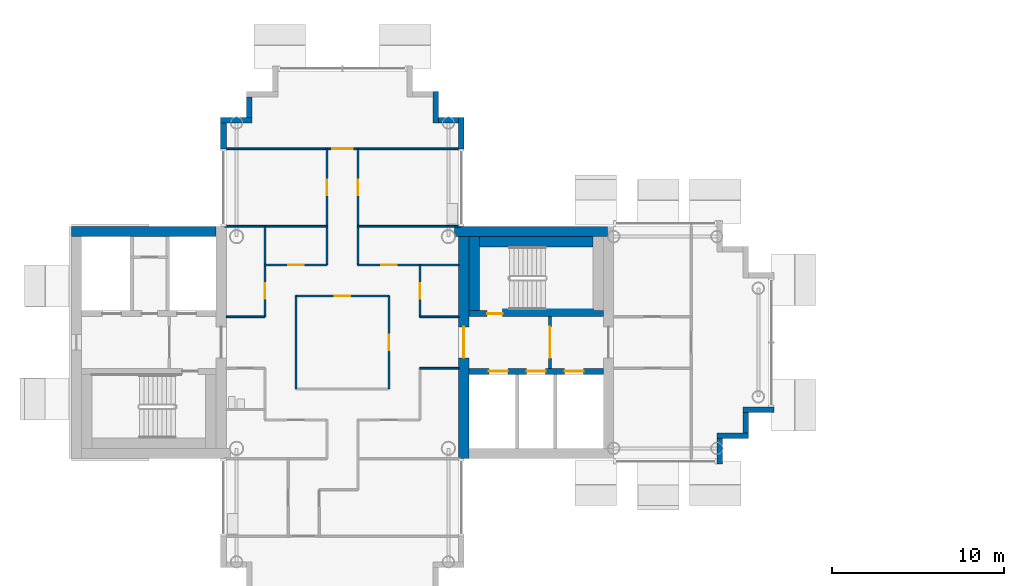
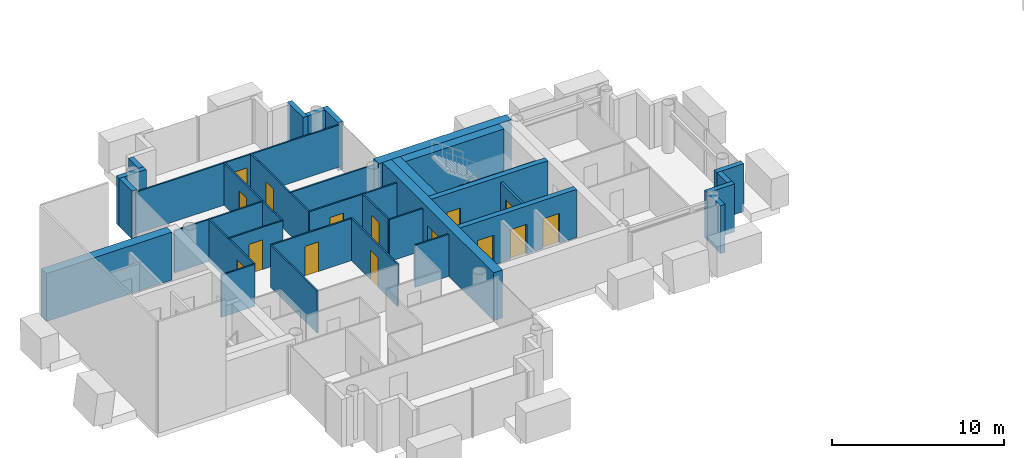
# One storey, part 7 of 18: 34 walls, 15 doors, 15 openings.
"""IFC4 building model written with IfcOpenShell, lengths in metres."""

from ifc_helpers import new_model, si_unit, direction, frame, frame_2d, origin, place, context, subcontext, project, spatial, rectangle, extrude, material, layer, layer_set, type_object, element, fill, save


model = new_model("IFC4")

# Units and contexts
model_context = context("Model", 3, precision=1e-05, world=origin(), true_north=direction((0.0, 1.0)))
body_context = subcontext(model_context, "Body", "Model", "MODEL_VIEW")
ifc_project = project(units=[si_unit("LENGTHUNIT", "METRE"), si_unit("AREAUNIT", "SQUARE_METRE"), si_unit("VOLUMEUNIT", "CUBIC_METRE"), si_unit("PLANEANGLEUNIT", "RADIAN"), si_unit("MASSUNIT", "GRAM", prefix="KILO")], contexts=[model_context])

# Site, building, storey
site_placement = place(None, origin())
site = spatial("IfcSite", under=ifc_project, at=site_placement, CompositionType="ELEMENT")
building_placement = place(site_placement, origin())
building = spatial("IfcBuilding", under=site, at=building_placement, Name="Ipe Terrace Towers", CompositionType="ELEMENT")
storey_placement = place(building_placement, frame((0.0, 0.0, 230.0)))
storey = spatial("IfcBuildingStorey", under=building, at=storey_placement, Name="L64", CompositionType="ELEMENT", Elevation=230.0)

# Walls
ifc_material_1 = material(Name="Concrete C40/50 with buff precast cladding", Category="concrete")
ifc_layer_1 = layer(ifc_material_1, 0.320068359375)
ifc_layer_set_1 = layer_set([ifc_layer_1], Name="BUFF CLADDING WALL 320")
wall_type_1 = type_object("IfcWallType", Name="BUFF CLADDING WALL 320", PredefinedType="STANDARD", material=ifc_layer_set_1)
wall_1_placement = place(storey_placement, frame((-14.090087890625, -7.070068359375, -0.300048828125), z_axis=(0.0, 0.0, 1.0), x_axis=(0.0, 1.0, 0.0)))
element("IfcWall", 1, at=wall_1_placement, inside=storey, type_object=wall_type_1, Name="T1-W-L64-17a wall", PredefinedType="STANDARD", context=body_context, shape_type="SweptSolid", body=[
    extrude(rectangle(XDim=1.5, YDim=0.320068359375, at=frame_2d((0.75, 0.0))), origin(), (0.0, 0.0, 1.0), 3.400146484375),
])
wall_2_placement = place(storey_placement, frame((-14.25, -5.409912109375, -0.300048828125), z_axis=(0.0, 0.0, 1.0), x_axis=(1.0, 0.0, 0.0)))
element("IfcWall", 2, at=wall_2_placement, inside=storey, type_object=wall_type_1, Name="T1-W-L64-18a wall", PredefinedType="STANDARD", context=body_context, shape_type="SweptSolid", body=[
    extrude(rectangle(XDim=1.820068359375, YDim=0.320068359375, at=frame_2d((0.91015625, 0.0))), origin(), (0.0, 0.0, 1.0), 3.400146484375),
])
wall_3_placement = place(storey_placement, frame((-12.590087890625, -5.25, -0.300048828125), z_axis=(0.0, 0.0, 1.0), x_axis=(0.0, 1.0, 0.0)))
element("IfcWall", 3, at=wall_3_placement, inside=storey, type_object=wall_type_1, Name="T1-W-L64-19a wall", PredefinedType="STANDARD", context=body_context, shape_type="SweptSolid", body=[
    extrude(rectangle(XDim=1.179931640625, YDim=0.320068359375, at=frame_2d((0.58984375, 0.0))), origin(), (0.0, 0.0, 1.0), 3.400146484375),
])
for number, where, z_axis, x_axis, name in (
    (4, (-12.75, -3.909912109375, -0.300048828125), (0.0, 0.0, 1.0), (1.0, 0.0, 0.0), "T1-W-L64-20a wall"),
    (5, (-29.090087890625, 11.25, -0.300048828125), (0.0, 0.0, 1.0), (0.0, 1.0, 0.0), "T1-W-L64-29a wall"),
):
    element("IfcWall", number, at=place(storey_placement, frame(where, z_axis=z_axis, x_axis=x_axis)), inside=storey, type_object=wall_type_1, Name=name, PredefinedType="STANDARD", context=body_context, shape_type="SweptSolid", body=[
        extrude(rectangle(XDim=1.820068359375, YDim=0.320068359375, at=frame_2d((0.91015625, 0.0))), origin(), (0.0, 0.0, 1.0), 3.400146484375),
    ])
wall_4_placement = place(storey_placement, frame((-29.25, 12.909912109375, -0.300048828125), z_axis=(0.0, 0.0, 1.0), x_axis=(-1.0, 0.0, 0.0)))
element("IfcWall", 6, at=wall_4_placement, inside=storey, type_object=wall_type_1, Name="T1-W-L64-30a wall", PredefinedType="STANDARD", context=body_context, shape_type="SweptSolid", body=[
    extrude(rectangle(XDim=1.179931640625, YDim=0.320068359375, at=frame_2d((0.58984375, 0.0))), origin(), (0.0, 0.0, 1.0), 3.400146484375),
])
wall_5_placement = place(storey_placement, frame((-30.590087890625, 12.75, -0.300048828125), z_axis=(0.0, 0.0, 1.0), x_axis=(0.0, 1.0, 0.0)))
element("IfcWall", 7, at=wall_5_placement, inside=storey, type_object=wall_type_1, Name="T1-W-L64-31a wall", PredefinedType="STANDARD", context=body_context, shape_type="SweptSolid", body=[
    extrude(rectangle(XDim=1.820068359375, YDim=0.320068359375, at=frame_2d((0.91015625, 0.0))), origin(), (0.0, 0.0, 1.0), 3.400146484375),
])
wall_6_placement = place(storey_placement, frame((-41.409912109375, 14.25, -0.300048828125), z_axis=(0.0, 0.0, 1.0), x_axis=(0.0, -1.0, 0.0)))
element("IfcWall", 8, at=wall_6_placement, inside=storey, type_object=wall_type_1, Name="T1-W-L64-37a wall", PredefinedType="STANDARD", context=body_context, shape_type="SweptSolid", body=[
    extrude(rectangle(XDim=1.179931640625, YDim=0.320068359375, at=frame_2d((0.58984375, 0.0))), origin(), (0.0, 0.0, 1.0), 3.400146484375),
])
wall_7_placement = place(storey_placement, frame((-41.25, 12.909912109375, -0.300048828125), z_axis=(0.0, 0.0, 1.0), x_axis=(-1.0, 0.0, 0.0)))
element("IfcWall", 9, at=wall_7_placement, inside=storey, type_object=wall_type_1, Name="T1-W-L64-38a wall", PredefinedType="STANDARD", context=body_context, shape_type="SweptSolid", body=[
    extrude(rectangle(XDim=1.820068359375, YDim=0.320068359375, at=frame_2d((0.91015625, 0.0))), origin(), (0.0, 0.0, 1.0), 3.400146484375),
])
wall_8_placement = place(storey_placement, frame((-42.909912109375, 12.75, -0.300048828125), z_axis=(0.0, 0.0, 1.0), x_axis=(0.0, -1.0, 0.0)))
element("IfcWall", 10, at=wall_8_placement, inside=storey, type_object=wall_type_1, Name="T1-W-L64-39a wall", PredefinedType="STANDARD", context=body_context, shape_type="SweptSolid", body=[
    extrude(rectangle(XDim=1.5, YDim=0.320068359375, at=frame_2d((0.75, 0.0))), origin(), (0.0, 0.0, 1.0), 3.400146484375),
])

# Wall, opening, door
ifc_material_2 = material(Name="Gypsum board partition", Category="plasterboard")
ifc_layer_2 = layer(ifc_material_2, 0.10009765625)
ifc_layer_set_2 = layer_set([ifc_layer_2], Name="Gypsum board partition 100 mm")
wall_type_2 = type_object("IfcWallType", Name="Gypsum board partition 100 mm", PredefinedType="PARTITIONING", material=ifc_layer_set_2)
wall_9_placement = place(storey_placement, frame((-40.5, 1.5, 0.0), z_axis=(0.0, 0.0, 1.0), x_axis=(0.0, 1.0, 0.0)))
wall_9 = element("IfcWall", 11, at=wall_9_placement, inside=storey, type_object=wall_type_2, Name="Gypsum board partition T1 L64 W02", PredefinedType="PARTITIONING", context=body_context, shape_type="SweptSolid", body=[
    extrude(rectangle(XDim=5.25, YDim=0.10009765625, at=frame_2d((2.625, 0.0))), origin(), (0.0, 0.0, 1.0), 2.97998046875),
])
opening_1_placement = place(wall_9_placement, frame((1.050048828125, 0.0, 0.0)))
opening_1 = element("IfcOpeningElement", 12, at=opening_1_placement, cuts=wall_9, Name="Opening T1-Z4B-07", PredefinedType="OPENING", context=body_context, shape_type="SweptSolid", body=[
    extrude(rectangle(XDim=0.89990234375, YDim=2.10009765625, at=frame_2d((0.449951171875, 1.050048828125))), frame((0.0, 0.06005859375, 0.0), z_axis=(0.0, -1.0, 0.0), x_axis=(1.0, 0.0, 0.0)), (0.0, 0.0, 1.0), 0.1201171875),
])
ifc_material_3 = material(Name="Timber door leaf", Category="wood")
door_type_1 = type_object("IfcDoorType", Name="Lounge door 900 x 2100", OperationType="NOTDEFINED", PredefinedType="DOOR", material=ifc_material_3)
door_1_placement = place(opening_1_placement, origin())
door_1 = element("IfcDoor", 13, at=door_1_placement, inside=storey, type_object=door_type_1, Name="Lounge door T1-Z4B-07", OperationType="SINGLE_SWING_RIGHT", OverallHeight=2.10009765625, OverallWidth=0.89990234375, PredefinedType="DOOR", context=body_context, shape_type="SweptSolid", body=[
    extrude(rectangle(XDim=0.89990234375, YDim=2.10009765625, at=frame_2d((0.449951171875, 1.050048828125))), frame((0.0, 0.02490234375, 0.0), z_axis=(0.0, -1.0, 0.0), x_axis=(1.0, 0.0, 0.0)), (0.0, 0.0, 1.0), 0.050048828125),
])
fill(opening_1, door_1)

# Wall
wall_10_placement = place(storey_placement, frame((-38.699951171875, -2.699951171875, 0.0), z_axis=(0.0, 0.0, 1.0), x_axis=(0.0, 1.0, 0.0)))
element("IfcWall", 14, at=wall_10_placement, inside=storey, type_object=wall_type_2, Name="Gypsum board partition T1 L64 W04", PredefinedType="PARTITIONING", context=body_context, shape_type="SweptSolid", body=[
    extrude(rectangle(XDim=5.39990234375, YDim=0.10009765625, at=frame_2d((2.699951171875, 0.0))), origin(), (0.0, 0.0, 1.0), 2.97998046875),
])

# Wall, opening, door
wall_11_placement = place(storey_placement, frame((-36.89990234375, 4.5, 0.0), z_axis=(0.0, 0.0, 1.0), x_axis=(0.0, 1.0, 0.0)))
wall_11 = element("IfcWall", 15, at=wall_11_placement, inside=storey, type_object=wall_type_2, Name="Gypsum board partition T1 L64 W07", PredefinedType="PARTITIONING", context=body_context, shape_type="SweptSolid", body=[
    extrude(rectangle(XDim=6.75, YDim=0.10009765625, at=frame_2d((3.375, 0.0))), origin(), (0.0, 0.0, 1.0), 2.97998046875),
])
opening_2_placement = place(wall_11_placement, frame((4.050048828125, 0.0, 0.0)))
opening_2 = element("IfcOpeningElement", 16, at=opening_2_placement, cuts=wall_11, Name="Opening T1-Z4B-10", PredefinedType="OPENING", context=body_context, shape_type="SweptSolid", body=[
    extrude(rectangle(XDim=0.89990234375, YDim=2.10009765625, at=frame_2d((0.449951171875, 1.050048828125))), frame((0.0, 0.06005859375, 0.0), z_axis=(0.0, -1.0, 0.0), x_axis=(1.0, 0.0, 0.0)), (0.0, 0.0, 1.0), 0.1201171875),
])
door_2_placement = place(opening_2_placement, origin())
door_2 = element("IfcDoor", 17, at=door_2_placement, inside=storey, type_object=door_type_1, Name="Lounge door T1-Z4B-10", OperationType="SINGLE_SWING_LEFT", OverallHeight=2.10009765625, OverallWidth=0.89990234375, PredefinedType="DOOR", context=body_context, shape_type="SweptSolid", body=[
    extrude(rectangle(XDim=0.89990234375, YDim=2.10009765625, at=frame_2d((0.449951171875, 1.050048828125))), frame((0.0, 0.02490234375, 0.0), z_axis=(0.0, -1.0, 0.0), x_axis=(1.0, 0.0, 0.0)), (0.0, 0.0, 1.0), 0.050048828125),
])
fill(opening_2, door_2)

wall_12_placement = place(storey_placement, frame((-35.10009765625, 4.5, 0.0), z_axis=(0.0, 0.0, 1.0), x_axis=(0.0, 1.0, 0.0)))
wall_12 = element("IfcWall", 18, at=wall_12_placement, inside=storey, type_object=wall_type_2, Name="Gypsum board partition T1 L64 W09", PredefinedType="PARTITIONING", context=body_context, shape_type="SweptSolid", body=[
    extrude(rectangle(XDim=6.75, YDim=0.10009765625, at=frame_2d((3.375, 0.0))), origin(), (0.0, 0.0, 1.0), 2.97998046875),
])
opening_3_placement = place(wall_12_placement, frame((4.050048828125, 0.0, 0.0)))
opening_3 = element("IfcOpeningElement", 19, at=opening_3_placement, cuts=wall_12, Name="Opening T1-Z4B-11", PredefinedType="OPENING", context=body_context, shape_type="SweptSolid", body=[
    extrude(rectangle(XDim=0.89990234375, YDim=2.10009765625, at=frame_2d((0.449951171875, 1.050048828125))), frame((0.0, 0.06005859375, 0.0), z_axis=(0.0, -1.0, 0.0), x_axis=(1.0, 0.0, 0.0)), (0.0, 0.0, 1.0), 0.1201171875),
])
door_3_placement = place(opening_3_placement, origin())
door_3 = element("IfcDoor", 20, at=door_3_placement, inside=storey, type_object=door_type_1, Name="Lounge door T1-Z4B-11", OperationType="SINGLE_SWING_RIGHT", OverallHeight=2.10009765625, OverallWidth=0.89990234375, PredefinedType="DOOR", context=body_context, shape_type="SweptSolid", body=[
    extrude(rectangle(XDim=0.89990234375, YDim=2.10009765625, at=frame_2d((0.449951171875, 1.050048828125))), frame((0.0, 0.02490234375, 0.0), z_axis=(0.0, -1.0, 0.0), x_axis=(1.0, 0.0, 0.0)), (0.0, 0.0, 1.0), 0.050048828125),
])
fill(opening_3, door_3)

wall_13_placement = place(storey_placement, frame((-33.300048828125, -2.699951171875, 0.0), z_axis=(0.0, 0.0, 1.0), x_axis=(0.0, 1.0, 0.0)))
wall_13 = element("IfcWall", 21, at=wall_13_placement, inside=storey, type_object=wall_type_2, Name="Gypsum board partition T1 L64 W10", PredefinedType="PARTITIONING", context=body_context, shape_type="SweptSolid", body=[
    extrude(rectangle(XDim=5.39990234375, YDim=0.10009765625, at=frame_2d((2.699951171875, 0.0))), origin(), (0.0, 0.0, 1.0), 2.97998046875),
])
opening_4_placement = place(wall_13_placement, frame((2.25, 0.0, 0.0)))
opening_4 = element("IfcOpeningElement", 22, at=opening_4_placement, cuts=wall_13, Name="Opening T1-Z4B-02", PredefinedType="OPENING", context=body_context, shape_type="SweptSolid", body=[
    extrude(rectangle(XDim=0.89990234375, YDim=2.10009765625, at=frame_2d((0.449951171875, 1.050048828125))), frame((0.0, 0.06005859375, 0.0), z_axis=(0.0, -1.0, 0.0), x_axis=(1.0, 0.0, 0.0)), (0.0, 0.0, 1.0), 0.1201171875),
])
door_4_placement = place(opening_4_placement, origin())
door_4 = element("IfcDoor", 23, at=door_4_placement, inside=storey, type_object=door_type_1, Name="Lounge door T1-Z4B-02", OperationType="SINGLE_SWING_LEFT", OverallHeight=2.10009765625, OverallWidth=0.89990234375, PredefinedType="DOOR", context=body_context, shape_type="SweptSolid", body=[
    extrude(rectangle(XDim=0.89990234375, YDim=2.10009765625, at=frame_2d((0.449951171875, 1.050048828125))), frame((0.0, 0.02490234375, 0.0), z_axis=(0.0, -1.0, 0.0), x_axis=(1.0, 0.0, 0.0)), (0.0, 0.0, 1.0), 0.050048828125),
])
fill(opening_4, door_4)

wall_14_placement = place(storey_placement, frame((-31.5, 1.5, 0.0), z_axis=(0.0, 0.0, 1.0), x_axis=(0.0, 1.0, 0.0)))
wall_14 = element("IfcWall", 24, at=wall_14_placement, inside=storey, type_object=wall_type_2, Name="Gypsum board partition T1 L64 W12", PredefinedType="PARTITIONING", context=body_context, shape_type="SweptSolid", body=[
    extrude(rectangle(XDim=3.0, YDim=0.10009765625, at=frame_2d((1.5, 0.0))), origin(), (0.0, 0.0, 1.0), 2.97998046875),
])
opening_5_placement = place(wall_14_placement, frame((1.050048828125, 0.0, 0.0)))
opening_5 = element("IfcOpeningElement", 25, at=opening_5_placement, cuts=wall_14, Name="Opening T1-Z4B-05", PredefinedType="OPENING", context=body_context, shape_type="SweptSolid", body=[
    extrude(rectangle(XDim=0.89990234375, YDim=2.10009765625, at=frame_2d((0.449951171875, 1.050048828125))), frame((0.0, 0.06005859375, 0.0), z_axis=(0.0, -1.0, 0.0), x_axis=(1.0, 0.0, 0.0)), (0.0, 0.0, 1.0), 0.1201171875),
])
door_5_placement = place(opening_5_placement, origin())
door_5 = element("IfcDoor", 26, at=door_5_placement, inside=storey, type_object=door_type_1, Name="Lounge door T1-Z4B-05", OperationType="SINGLE_SWING_RIGHT", OverallHeight=2.10009765625, OverallWidth=0.89990234375, PredefinedType="DOOR", context=body_context, shape_type="SweptSolid", body=[
    extrude(rectangle(XDim=0.89990234375, YDim=2.10009765625, at=frame_2d((0.449951171875, 1.050048828125))), frame((0.0, 0.02490234375, 0.0), z_axis=(0.0, -1.0, 0.0), x_axis=(1.0, 0.0, 0.0)), (0.0, 0.0, 1.0), 0.050048828125),
])
fill(opening_5, door_5)

# Walls
for number, where, z_axis, x_axis, name in (
    (27, (-31.5, -1.5, 0.0), (0.0, 0.0, 1.0), (1.0, 0.0, 0.0), "Gypsum board partition T1 L64 W23"),
    (28, (-42.75, 1.5, 0.0), (0.0, 0.0, 1.0), (1.0, 0.0, 0.0), "Gypsum board partition T1 L64 W25"),
    (29, (-31.5, 1.5, 0.0), (0.0, 0.0, 1.0), (1.0, 0.0, 0.0), "Gypsum board partition T1 L64 W26"),
):
    element("IfcWall", number, at=place(storey_placement, frame(where, z_axis=z_axis, x_axis=x_axis)), inside=storey, type_object=wall_type_2, Name=name, PredefinedType="PARTITIONING", context=body_context, shape_type="SweptSolid", body=[
        extrude(rectangle(XDim=2.25, YDim=0.10009765625, at=frame_2d((1.125, 0.0))), origin(), (0.0, 0.0, 1.0), 2.97998046875),
    ])

# Wall, opening, door
wall_15_placement = place(storey_placement, frame((-38.699951171875, 2.699951171875, 0.0), z_axis=(0.0, 0.0, 1.0), x_axis=(1.0, 0.0, 0.0)))
wall_15 = element("IfcWall", 30, at=wall_15_placement, inside=storey, type_object=wall_type_2, Name="Gypsum board partition T1 L64 W28", PredefinedType="PARTITIONING", context=body_context, shape_type="SweptSolid", body=[
    extrude(rectangle(XDim=5.39990234375, YDim=0.10009765625, at=frame_2d((2.699951171875, 0.0))), origin(), (0.0, 0.0, 1.0), 2.97998046875),
])
opening_6_placement = place(wall_15_placement, frame((2.25, 0.0, 0.0)))
opening_6 = element("IfcOpeningElement", 31, at=opening_6_placement, cuts=wall_15, Name="Opening T1-Z4B-01", PredefinedType="OPENING", context=body_context, shape_type="SweptSolid", body=[
    extrude(rectangle(XDim=0.89990234375, YDim=2.10009765625, at=frame_2d((0.449951171875, 1.050048828125))), frame((0.0, 0.06005859375, 0.0), z_axis=(0.0, -1.0, 0.0), x_axis=(1.0, 0.0, 0.0)), (0.0, 0.0, 1.0), 0.1201171875),
])
door_6_placement = place(opening_6_placement, origin())
door_6 = element("IfcDoor", 32, at=door_6_placement, inside=storey, type_object=door_type_1, Name="Lounge door T1-Z4B-01", OperationType="SINGLE_SWING_RIGHT", OverallHeight=2.10009765625, OverallWidth=0.89990234375, PredefinedType="DOOR", context=body_context, shape_type="SweptSolid", body=[
    extrude(rectangle(XDim=0.89990234375, YDim=2.10009765625, at=frame_2d((0.449951171875, 1.050048828125))), frame((0.0, 0.02490234375, 0.0), z_axis=(0.0, -1.0, 0.0), x_axis=(1.0, 0.0, 0.0)), (0.0, 0.0, 1.0), 0.050048828125),
])
fill(opening_6, door_6)

wall_16_placement = place(storey_placement, frame((-40.5, 4.5, 0.0), z_axis=(0.0, 0.0, 1.0), x_axis=(1.0, 0.0, 0.0)))
wall_16 = element("IfcWall", 33, at=wall_16_placement, inside=storey, type_object=wall_type_2, Name="Gypsum board partition T1 L64 W29", PredefinedType="PARTITIONING", context=body_context, shape_type="SweptSolid", body=[
    extrude(rectangle(XDim=3.60009765625, YDim=0.10009765625, at=frame_2d((1.800048828125, 0.0))), origin(), (0.0, 0.0, 1.0), 2.97998046875),
])
opening_7_placement = place(wall_16_placement, frame((1.35009765625, 0.0, 0.0)))
opening_7 = element("IfcOpeningElement", 34, at=opening_7_placement, cuts=wall_16, Name="Opening T1-Z4B-06", PredefinedType="OPENING", context=body_context, shape_type="SweptSolid", body=[
    extrude(rectangle(XDim=0.89990234375, YDim=2.10009765625, at=frame_2d((0.449951171875, 1.050048828125))), frame((0.0, 0.06005859375, 0.0), z_axis=(0.0, -1.0, 0.0), x_axis=(1.0, 0.0, 0.0)), (0.0, 0.0, 1.0), 0.1201171875),
])
door_7_placement = place(opening_7_placement, origin())
door_7 = element("IfcDoor", 35, at=door_7_placement, inside=storey, type_object=door_type_1, Name="Lounge door T1-Z4B-06", OperationType="SINGLE_SWING_RIGHT", OverallHeight=2.10009765625, OverallWidth=0.89990234375, PredefinedType="DOOR", context=body_context, shape_type="SweptSolid", body=[
    extrude(rectangle(XDim=0.89990234375, YDim=2.10009765625, at=frame_2d((0.449951171875, 1.050048828125))), frame((0.0, 0.02490234375, 0.0), z_axis=(0.0, -1.0, 0.0), x_axis=(1.0, 0.0, 0.0)), (0.0, 0.0, 1.0), 0.050048828125),
])
fill(opening_7, door_7)

wall_17_placement = place(storey_placement, frame((-35.10009765625, 4.5, 0.0), z_axis=(0.0, 0.0, 1.0), x_axis=(1.0, 0.0, 0.0)))
wall_17 = element("IfcWall", 36, at=wall_17_placement, inside=storey, type_object=wall_type_2, Name="Gypsum board partition T1 L64 W30", PredefinedType="PARTITIONING", context=body_context, shape_type="SweptSolid", body=[
    extrude(rectangle(XDim=5.85009765625, YDim=0.10009765625, at=frame_2d((2.925048828125, 0.0))), origin(), (0.0, 0.0, 1.0), 2.97998046875),
])
opening_8_placement = place(wall_17_placement, frame((1.35009765625, 0.0, 0.0)))
opening_8 = element("IfcOpeningElement", 37, at=opening_8_placement, cuts=wall_17, Name="Opening T1-Z4B-04", PredefinedType="OPENING", context=body_context, shape_type="SweptSolid", body=[
    extrude(rectangle(XDim=0.89990234375, YDim=2.10009765625, at=frame_2d((0.449951171875, 1.050048828125))), frame((0.0, 0.06005859375, 0.0), z_axis=(0.0, -1.0, 0.0), x_axis=(1.0, 0.0, 0.0)), (0.0, 0.0, 1.0), 0.1201171875),
])
door_8_placement = place(opening_8_placement, origin())
door_8 = element("IfcDoor", 38, at=door_8_placement, inside=storey, type_object=door_type_1, Name="Lounge door T1-Z4B-04", OperationType="SINGLE_SWING_RIGHT", OverallHeight=2.10009765625, OverallWidth=0.89990234375, PredefinedType="DOOR", context=body_context, shape_type="SweptSolid", body=[
    extrude(rectangle(XDim=0.89990234375, YDim=2.10009765625, at=frame_2d((0.449951171875, 1.050048828125))), frame((0.0, 0.02490234375, 0.0), z_axis=(0.0, -1.0, 0.0), x_axis=(1.0, 0.0, 0.0)), (0.0, 0.0, 1.0), 0.050048828125),
])
fill(opening_8, door_8)

# Walls
for number, where, z_axis, x_axis, name in (
    (39, (-42.85009765625, 6.75, 0.0), (0.0, 0.0, 1.0), (1.0, 0.0, 0.0), "Gypsum board partition T1 L64 W31"),
    (40, (-35.10009765625, 6.75, 0.0), (0.0, 0.0, 1.0), (1.0, 0.0, 0.0), "Gypsum board partition T1 L64 W32"),
):
    element("IfcWall", number, at=place(storey_placement, frame(where, z_axis=z_axis, x_axis=x_axis)), inside=storey, type_object=wall_type_2, Name=name, PredefinedType="PARTITIONING", context=body_context, shape_type="SweptSolid", body=[
        extrude(rectangle(XDim=5.9501953125, YDim=0.10009765625, at=frame_2d((2.97509765625, 0.0))), origin(), (0.0, 0.0, 1.0), 2.97998046875),
    ])

# Wall, opening, door
wall_18_placement = place(storey_placement, frame((-42.85009765625, 11.25, 0.0), z_axis=(0.0, 0.0, 1.0), x_axis=(1.0, 0.0, 0.0)))
wall_18 = element("IfcWall", 41, at=wall_18_placement, inside=storey, type_object=wall_type_2, Name="Gypsum board partition T1 L64 W33", PredefinedType="PARTITIONING", context=body_context, shape_type="SweptSolid", body=[
    extrude(rectangle(XDim=13.7001953125, YDim=0.10009765625, at=frame_2d((6.85009765625, 0.0))), origin(), (0.0, 0.0, 1.0), 2.97998046875),
])
opening_9_placement = place(wall_18_placement, frame((6.25, 0.0, 0.0)))
opening_9 = element("IfcOpeningElement", 42, at=opening_9_placement, cuts=wall_18, Name="Opening T1-Z4B-12", PredefinedType="OPENING", context=body_context, shape_type="SweptSolid", body=[
    extrude(rectangle(XDim=1.199951171875, YDim=2.10009765625, at=frame_2d((0.60009765625, 1.050048828125))), frame((0.0, 0.06005859375, 0.0), z_axis=(0.0, -1.0, 0.0), x_axis=(1.0, 0.0, 0.0)), (0.0, 0.0, 1.0), 0.1201171875),
])
ifc_material_4 = material(Name="Timber door leaf", Category="wood")
door_type_2 = type_object("IfcDoorType", Name="Lounge door 1200 x 2100", OperationType="NOTDEFINED", PredefinedType="DOOR", material=ifc_material_4)
door_9_placement = place(opening_9_placement, origin())
door_9 = element("IfcDoor", 43, at=door_9_placement, inside=storey, type_object=door_type_2, Name="Lounge door T1-Z4B-12", OperationType="SINGLE_SWING_LEFT", OverallHeight=2.10009765625, OverallWidth=1.199951171875, PredefinedType="DOOR", context=body_context, shape_type="SweptSolid", body=[
    extrude(rectangle(XDim=1.199951171875, YDim=2.10009765625, at=frame_2d((0.60009765625, 1.050048828125))), frame((0.0, 0.02490234375, 0.0), z_axis=(0.0, -1.0, 0.0), x_axis=(1.0, 0.0, 0.0)), (0.0, 0.0, 1.0), 0.050048828125),
])
fill(opening_9, door_9)

ifc_material_5 = material(Name="Gypsum board partition", Category="plasterboard")
ifc_layer_3 = layer(ifc_material_5, 0.14990234375)
ifc_layer_set_3 = layer_set([ifc_layer_3], Name="Gypsum board partition 150 mm")
wall_type_3 = type_object("IfcWallType", Name="Gypsum board partition 150 mm", PredefinedType="PARTITIONING", material=ifc_layer_set_3)
wall_19_placement = place(storey_placement, frame((-23.949951171875, -1.5, 0.0), z_axis=(0.0, 0.0, 1.0), x_axis=(0.0, 1.0, 0.0)))
wall_19 = element("IfcWall", 44, at=wall_19_placement, inside=storey, type_object=wall_type_3, Name="Gypsum board partition T1 L64 t1c1-lobby-wall", PredefinedType="PARTITIONING", context=body_context, shape_type="SweptSolid", body=[
    extrude(rectangle(XDim=3.0, YDim=0.14990234375, at=frame_2d((1.5, 0.0))), origin(), (0.0, 0.0, 1.0), 2.97998046875),
])
opening_10_placement = place(wall_19_placement, frame((0.60009765625, 0.0, 0.0)))
opening_10 = element("IfcOpeningElement", 45, at=opening_10_placement, cuts=wall_19, Name="Opening T1C1-VD", PredefinedType="OPENING", context=body_context, shape_type="SweptSolid", body=[
    extrude(rectangle(XDim=1.800048828125, YDim=2.10009765625, at=frame_2d((0.89990234375, 1.050048828125))), frame((0.0, 0.0849609375, 0.0), z_axis=(0.0, -1.0, 0.0), x_axis=(1.0, 0.0, 0.0)), (0.0, 0.0, 1.0), 0.169921875),
])
ifc_material_6 = material(Name="Fire-rated timber door leaf", Category="wood")
door_type_3 = type_object("IfcDoorType", Name="Lobby door 1800 x 2100 FD60", OperationType="NOTDEFINED", PredefinedType="DOOR", material=ifc_material_6)
door_10_placement = place(opening_10_placement, origin())
door_10 = element("IfcDoor", 46, at=door_10_placement, inside=storey, type_object=door_type_3, Name="Lobby door T1C1-VD", OperationType="SINGLE_SWING_LEFT", OverallHeight=2.10009765625, OverallWidth=1.800048828125, PredefinedType="DOOR", context=body_context, shape_type="SweptSolid", body=[
    extrude(rectangle(XDim=1.800048828125, YDim=2.10009765625, at=frame_2d((0.89990234375, 1.050048828125))), frame((0.0, 0.02490234375, 0.0), z_axis=(0.0, -1.0, 0.0), x_axis=(1.0, 0.0, 0.0)), (0.0, 0.0, 1.0), 0.050048828125),
])
fill(opening_10, door_10)

# Wall, openings, doors
ifc_material_7 = material(Name="Concrete C40/50", Category="concrete")
ifc_layer_4 = layer(ifc_material_7, 0.35009765625)
ifc_layer_set_4 = layer_set([ifc_layer_4], Name="RW350 CORE SPINE WALL 350 C40-50")
wall_type_4 = type_object("IfcWallType", Name="RW350 CORE SPINE WALL 350 C40-50", PredefinedType="SHEAR", material=ifc_layer_set_4)
wall_20_placement = place(storey_placement, frame((-28.64990234375, -1.675048828125, 0.0), z_axis=(0.0, 0.0, 1.0), x_axis=(1.0, 0.0, 0.0)))
wall_20 = element("IfcWall", 47, at=wall_20_placement, inside=storey, type_object=wall_type_4, Name="Core spine wall T1-C1-Z4-SW1", PredefinedType="SHEAR", context=body_context, shape_type="SweptSolid", body=[
    extrude(rectangle(XDim=7.7998046875, YDim=0.35009765625, at=frame_2d((3.89990234375, 0.0))), origin(), (0.0, 0.0, 1.0), 3.39990234375),
])
opening_11_placement = place(wall_20_placement, frame((1.14990234375, 0.0, 0.0)))
opening_11 = element("IfcOpeningElement", 48, at=opening_11_placement, cuts=wall_20, Name="Opening T1C1-LD1", PredefinedType="OPENING", context=body_context, shape_type="SweptSolid", body=[
    extrude(rectangle(XDim=1.10009765625, YDim=2.10009765625, at=frame_2d((0.550048828125, 1.050048828125))), frame((0.0, 0.18505859375, 0.0), z_axis=(0.0, -1.0, 0.0), x_axis=(1.0, 0.0, 0.0)), (0.0, 0.0, 1.0), 0.3701171875),
])
opening_12_placement = place(wall_20_placement, frame((3.35009765625, 0.0, 0.0)))
opening_12 = element("IfcOpeningElement", 49, at=opening_12_placement, cuts=wall_20, Name="Opening T1C1-LD2", PredefinedType="OPENING", context=body_context, shape_type="SweptSolid", body=[
    extrude(rectangle(XDim=1.10009765625, YDim=2.10009765625, at=frame_2d((0.550048828125, 1.050048828125))), frame((0.0, 0.18505859375, 0.0), z_axis=(0.0, -1.0, 0.0), x_axis=(1.0, 0.0, 0.0)), (0.0, 0.0, 1.0), 0.3701171875),
])
opening_13_placement = place(wall_20_placement, frame((5.550048828125, 0.0, 0.0)))
opening_13 = element("IfcOpeningElement", 50, at=opening_13_placement, cuts=wall_20, Name="Opening T1C1-LD3", PredefinedType="OPENING", context=body_context, shape_type="SweptSolid", body=[
    extrude(rectangle(XDim=1.10009765625, YDim=2.10009765625, at=frame_2d((0.550048828125, 1.050048828125))), frame((0.0, 0.18505859375, 0.0), z_axis=(0.0, -1.0, 0.0), x_axis=(1.0, 0.0, 0.0)), (0.0, 0.0, 1.0), 0.3701171875),
])
ifc_material_8 = material(Name="Fire-rated timber door leaf", Category="wood")
door_type_4 = type_object("IfcDoorType", Name="Sliding door 1100 x 2100 FD60", OperationType="SLIDING_TO_LEFT", PredefinedType="DOOR", material=ifc_material_8)
door_11_placement = place(opening_11_placement, origin())
door_11 = element("IfcDoor", 51, at=door_11_placement, inside=storey, type_object=door_type_4, Name="Sliding door T1C1-LD1", OperationType="SLIDING_TO_LEFT", OverallHeight=2.10009765625, OverallWidth=1.10009765625, PredefinedType="DOOR", context=body_context, shape_type="SweptSolid", body=[
    extrude(rectangle(XDim=1.10009765625, YDim=2.10009765625, at=frame_2d((0.550048828125, 1.050048828125))), frame((0.0, 0.02490234375, 0.0), z_axis=(0.0, -1.0, 0.0), x_axis=(1.0, 0.0, 0.0)), (0.0, 0.0, 1.0), 0.050048828125),
])
fill(opening_11, door_11)
door_12_placement = place(opening_12_placement, origin())
door_12 = element("IfcDoor", 52, at=door_12_placement, inside=storey, type_object=door_type_4, Name="Sliding door T1C1-LD2", OperationType="SLIDING_TO_LEFT", OverallHeight=2.10009765625, OverallWidth=1.10009765625, PredefinedType="DOOR", context=body_context, shape_type="SweptSolid", body=[
    extrude(rectangle(XDim=1.10009765625, YDim=2.10009765625, at=frame_2d((0.550048828125, 1.050048828125))), frame((0.0, 0.02490234375, 0.0), z_axis=(0.0, -1.0, 0.0), x_axis=(1.0, 0.0, 0.0)), (0.0, 0.0, 1.0), 0.050048828125),
])
fill(opening_12, door_12)
door_13_placement = place(opening_13_placement, origin())
door_13 = element("IfcDoor", 53, at=door_13_placement, inside=storey, type_object=door_type_4, Name="Sliding door T1C1-LD3", OperationType="SLIDING_TO_LEFT", OverallHeight=2.10009765625, OverallWidth=1.10009765625, PredefinedType="DOOR", context=body_context, shape_type="SweptSolid", body=[
    extrude(rectangle(XDim=1.10009765625, YDim=2.10009765625, at=frame_2d((0.550048828125, 1.050048828125))), frame((0.0, 0.02490234375, 0.0), z_axis=(0.0, -1.0, 0.0), x_axis=(1.0, 0.0, 0.0)), (0.0, 0.0, 1.0), 0.050048828125),
])
fill(opening_13, door_13)

# Wall, opening, door
wall_21_placement = place(storey_placement, frame((-28.64990234375, 1.675048828125, 0.0), z_axis=(0.0, 0.0, 1.0), x_axis=(1.0, 0.0, 0.0)))
wall_21 = element("IfcWall", 54, at=wall_21_placement, inside=storey, type_object=wall_type_4, Name="Core spine wall T1-C1-Z4-SW2", PredefinedType="SHEAR", context=body_context, shape_type="SweptSolid", body=[
    extrude(rectangle(XDim=7.7998046875, YDim=0.35009765625, at=frame_2d((3.89990234375, 0.0))), origin(), (0.0, 0.0, 1.0), 3.39990234375),
])
opening_14_placement = place(wall_21_placement, frame((1.050048828125, 0.0, 0.0)))
opening_14 = element("IfcOpeningElement", 55, at=opening_14_placement, cuts=wall_21, Name="Opening T1C1-SD", PredefinedType="OPENING", context=body_context, shape_type="SweptSolid", body=[
    extrude(rectangle(XDim=0.89990234375, YDim=2.10009765625, at=frame_2d((0.449951171875, 1.050048828125))), frame((0.0, 0.18505859375, 0.0), z_axis=(0.0, -1.0, 0.0), x_axis=(1.0, 0.0, 0.0)), (0.0, 0.0, 1.0), 0.3701171875),
])
ifc_material_9 = material(Name="Fire-rated timber door leaf", Category="wood")
door_type_5 = type_object("IfcDoorType", Name="Stair door 900 x 2100 FD60", OperationType="NOTDEFINED", PredefinedType="DOOR", material=ifc_material_9)
door_14_placement = place(opening_14_placement, origin())
door_14 = element("IfcDoor", 56, at=door_14_placement, inside=storey, type_object=door_type_5, Name="Stair door T1C1-SD", OperationType="SINGLE_SWING_LEFT", OverallHeight=2.10009765625, OverallWidth=0.89990234375, PredefinedType="DOOR", context=body_context, shape_type="SweptSolid", body=[
    extrude(rectangle(XDim=0.89990234375, YDim=2.10009765625, at=frame_2d((0.449951171875, 1.050048828125))), frame((0.0, 0.02490234375, 0.0), z_axis=(0.0, -1.0, 0.0), x_axis=(1.0, 0.0, 0.0)), (0.0, 0.0, 1.0), 0.050048828125),
])
fill(opening_14, door_14)

# Walls
ifc_material_10 = material(Name="Concrete C40/50", Category="concrete")
ifc_layer_5 = layer(ifc_material_10, 0.050048828125)
ifc_layer_set_5 = layer_set([ifc_layer_5], Name="RW50 CORE INFILL WALL 50 C40-50")
wall_type_5 = type_object("IfcWallType", Name="RW50 CORE INFILL WALL 50 C40-50", PredefinedType="SHEAR", material=ifc_layer_set_5)
wall_22_placement = place(storey_placement, frame((-26.64990234375, 1.875, 0.0), z_axis=(0.0, 0.0, 1.0), x_axis=(1.0, 0.0, 0.0)))
element("IfcWall", 57, at=wall_22_placement, inside=storey, type_object=wall_type_5, Name="Core infill wall T1-C1-spine-b", PredefinedType="SHEAR", context=body_context, shape_type="SweptSolid", body=[
    extrude(rectangle(XDim=5.199951171875, YDim=0.050048828125, at=frame_2d((2.60009765625, 0.0))), origin(), (0.0, 0.0, 1.0), 3.39990234375),
])
ifc_material_11 = material(Name="Concrete C40/50", Category="concrete")
ifc_layer_6 = layer(ifc_material_11, 0.60009765625)
ifc_layer_set_6 = layer_set([ifc_layer_6], Name="RW600 CORE INFILL WALL 600 C40-50")
wall_type_6 = type_object("IfcWallType", Name="RW600 CORE INFILL WALL 600 C40-50", PredefinedType="SHEAR", material=ifc_layer_set_6)
wall_23_placement = place(storey_placement, frame((-28.050048828125, 5.85009765625, 0.0), z_axis=(0.0, 0.0, 1.0), x_axis=(1.0, 0.0, 0.0)))
element("IfcWall", 58, at=wall_23_placement, inside=storey, type_object=wall_type_6, Name="Core infill wall T1-C1-back", PredefinedType="SHEAR", context=body_context, shape_type="SweptSolid", body=[
    extrude(rectangle(XDim=6.60009765625, YDim=0.60009765625, at=frame_2d((3.300048828125, 0.0))), origin(), (0.0, 0.0, 1.0), 3.39990234375),
])
wall_24_placement = place(storey_placement, frame((-28.35009765625, 1.85009765625, 0.0), z_axis=(0.0, 0.0, 1.0), x_axis=(0.0, 1.0, 0.0)))
element("IfcWall", 59, at=wall_24_placement, inside=storey, type_object=wall_type_6, Name="Core infill wall T1-C1-near", PredefinedType="SHEAR", context=body_context, shape_type="SweptSolid", body=[
    extrude(rectangle(XDim=4.2998046875, YDim=0.60009765625, at=frame_2d((2.14990234375, 0.0))), origin(), (0.0, 0.0, 1.0), 3.39990234375),
])
ifc_material_12 = material(Name="Concrete C40/50", Category="concrete")
ifc_layer_7 = layer(ifc_material_12, 0.60009765625)
ifc_layer_set_7 = layer_set([ifc_layer_7], Name="RW600 CORE WALL 600 C40-50")
wall_type_7 = type_object("IfcWallType", Name="RW600 CORE WALL 600 C40-50", PredefinedType="SHEAR", material=ifc_layer_set_7)
wall_25_placement = place(storey_placement, frame((-20.60205078125, 6.449951171875, 0.0), z_axis=(0.0, 0.0, 1.0), x_axis=(-1.0, 0.0, 0.0)))
element("IfcWall", 60, at=wall_25_placement, inside=storey, type_object=wall_type_7, Name="Core wall T1-C1-Z4-W03", PredefinedType="SHEAR", context=body_context, shape_type="SweptSolid", body=[
    extrude(rectangle(XDim=8.89599609375, YDim=0.60009765625, at=frame_2d((4.447998046875, 0.0))), origin(), (0.0, 0.0, 1.0), 3.39990234375),
])

# Wall, opening, door
wall_26_placement = place(storey_placement, frame((-28.949951171875, 6.14990234375, 0.0), z_axis=(0.0, 0.0, 1.0), x_axis=(0.0, -1.0, 0.0)))
wall_26 = element("IfcWall", 61, at=wall_26_placement, inside=storey, type_object=wall_type_7, Name="Core wall T1-C1-Z4-W04", PredefinedType="SHEAR", context=body_context, shape_type="SweptSolid", body=[
    extrude(rectangle(XDim=12.89990234375, YDim=0.60009765625, at=frame_2d((6.449951171875, 0.0))), origin(), (0.0, 0.0, 1.0), 3.39990234375),
])
opening_15_placement = place(wall_26_placement, frame((5.25, 0.0, 0.0)))
opening_15 = element("IfcOpeningElement", 62, at=opening_15_placement, cuts=wall_26, Name="Opening T1C1-ND", PredefinedType="OPENING", context=body_context, shape_type="SweptSolid", body=[
    extrude(rectangle(XDim=1.800048828125, YDim=2.10009765625, at=frame_2d((0.89990234375, 1.050048828125))), frame((0.0, 0.31005859375, 0.0), z_axis=(0.0, -1.0, 0.0), x_axis=(1.0, 0.0, 0.0)), (0.0, 0.0, 1.0), 0.6201171875),
])
ifc_material_13 = material(Name="Fire-rated timber door leaf", Category="wood")
door_type_6 = type_object("IfcDoorType", Name="Fire door 1800 x 2100 FD30S", OperationType="NOTDEFINED", PredefinedType="DOOR", material=ifc_material_13)
door_15_placement = place(opening_15_placement, origin())
door_15 = element("IfcDoor", 63, at=door_15_placement, inside=storey, type_object=door_type_6, Name="Fire door T1C1-ND", OperationType="SINGLE_SWING_LEFT", OverallHeight=2.10009765625, OverallWidth=1.800048828125, PredefinedType="DOOR", context=body_context, shape_type="SweptSolid", body=[
    extrude(rectangle(XDim=1.800048828125, YDim=2.10009765625, at=frame_2d((0.89990234375, 1.050048828125))), frame((0.0, 0.02490234375, 0.0), z_axis=(0.0, -1.0, 0.0), x_axis=(1.0, 0.0, 0.0)), (0.0, 0.0, 1.0), 0.050048828125),
])
fill(opening_15, door_15)

# Wall
wall_27_placement = place(storey_placement, frame((-43.35009765625, 6.449951171875, 0.0), z_axis=(0.0, 0.0, 1.0), x_axis=(-1.0, 0.0, 0.0)))
element("IfcWall", 64, at=wall_27_placement, inside=storey, type_object=wall_type_7, Name="Core wall T1-C2-Z4-W03", PredefinedType="SHEAR", context=body_context, shape_type="SweptSolid", body=[
    extrude(rectangle(XDim=8.39990234375, YDim=0.60009765625, at=frame_2d((4.199951171875, 0.0))), origin(), (0.0, 0.0, 1.0), 3.39990234375),
])

save(model, "model.ifc")
